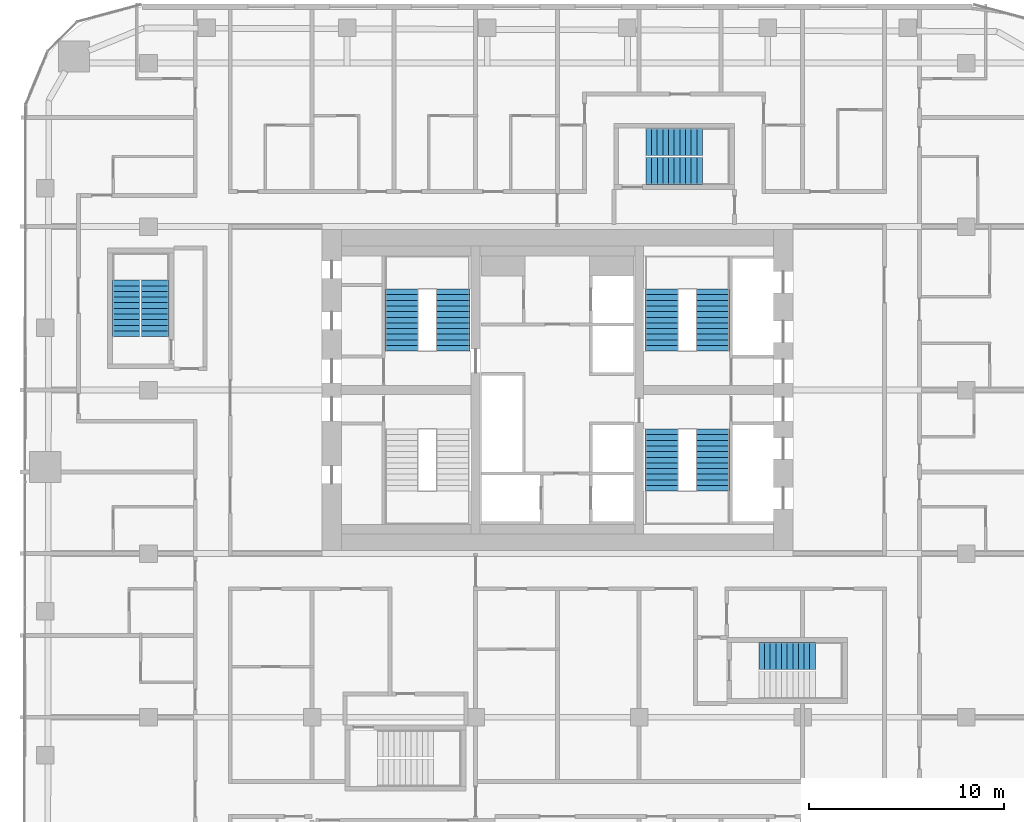
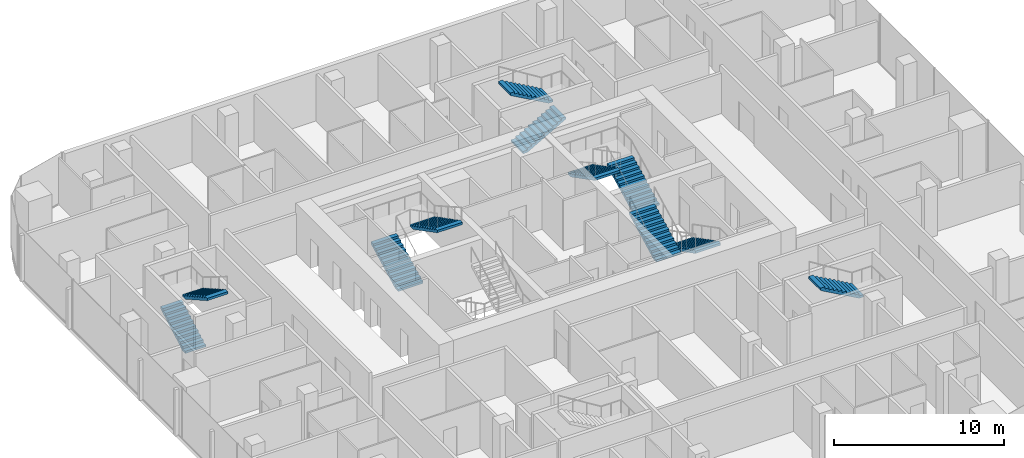
# One storey, part 21 of 23: 11 stair flights, 6 elements without a shape of their own.
"""IFC4 building model written with IfcOpenShell, lengths in metres."""

from ifc_helpers import new_model, si_unit, direction, frame, origin, place, context, subcontext, project, spatial, polyline, outline, extrude, material, type_object, element, aggregate, save


model = new_model("IFC4")

# Units and contexts
model_context = context("Model", 3, precision=1e-05, world=origin(), true_north=direction((0.0, 1.0)))
body_context = subcontext(model_context, "Body", "Model", "MODEL_VIEW")
ifc_project = project(units=[si_unit("LENGTHUNIT", "METRE"), si_unit("AREAUNIT", "SQUARE_METRE"), si_unit("VOLUMEUNIT", "CUBIC_METRE"), si_unit("PLANEANGLEUNIT", "RADIAN"), si_unit("MASSUNIT", "GRAM", prefix="KILO")], contexts=[model_context])

# Site, building, storey
site_placement = place(None, origin())
site = spatial("IfcSite", under=ifc_project, at=site_placement, CompositionType="ELEMENT")
building_placement = place(site_placement, origin())
building = spatial("IfcBuilding", under=site, at=building_placement, Name="Marenta Gate Hotel Tower", CompositionType="ELEMENT")
storey_placement = place(building_placement, frame((0.0, 0.0, 119.300048828125)))
storey = spatial("IfcBuildingStorey", under=building, at=storey_placement, Name="L26", CompositionType="ELEMENT", Elevation=119.300048828125)

# Stair, stair flights
ifc_material_1 = material(Name="Concrete C40", Category="concrete")
stair_type_1 = type_object("IfcStairType", Name="Core exit stair 1700 wide", PredefinedType="HALF_TURN_STAIR", material=ifc_material_1)
stair_1_placement = place(storey_placement, origin())
stair_1 = element("IfcStair", 1, at=stair_1_placement, inside=storey, type_object=stair_type_1, Name="Exit stair 2", PredefinedType="HALF_TURN_STAIR")
ifc_material_2 = material(Name="Concrete C40", Category="concrete")
stair_flight_type_1 = type_object("IfcStairFlightType", Name="Core stair flight 1700 riser 150.0 going 290", PredefinedType="STRAIGHT", material=ifc_material_2)
stair_flight_1_placement = place(storey_placement, frame((-8.0, 10.39990234375, 0.0), z_axis=(0.0, 0.0, 1.0), x_axis=(0.0, 1.0, 0.0)))
stair_flight_1 = element("IfcStairFlight", 2, at=stair_flight_1_placement, type_object=stair_flight_type_1, Name="ST2 flight 1", NumberOfRisers=12, NumberOfTreads=11, PredefinedType="STRAIGHT", RiserHeight=0.15, TreadLength=0.29, context=body_context, shape_type="SweptSolid", body=[
    extrude(outline(polyline([(0.0, 0.0), (0.0, 0.14990234375), (0.2900390625, 0.14990234375), (0.2900390625, 0.300048828125), (0.580078125, 0.300048828125), (0.580078125, 0.449951171875), (0.8701171875, 0.449951171875), (0.8701171875, 0.60009765625), (1.159912109375, 0.60009765625), (1.159912109375, 0.75), (1.449951171875, 0.75), (1.449951171875, 0.89990234375), (1.739990234375, 0.89990234375), (1.739990234375, 1.050048828125), (2.030029296875, 1.050048828125), (2.030029296875, 1.199951171875), (2.320068359375, 1.199951171875), (2.320068359375, 1.35009765625), (2.610107421875, 1.35009765625), (2.610107421875, 1.5), (2.89990234375, 1.5), (2.89990234375, 1.64990234375), (3.18994140625, 1.64990234375), (3.18994140625, 1.800048828125), (3.18994140625, 1.481201171875), (0.326171875, 0.0), (0.0, 0.0)])), frame((0.0, 0.85009765625, 0.0), z_axis=(0.0, -1.0, 0.0), x_axis=(1.0, 0.0, 0.0)), (0.0, 0.0, 1.0), 1.699951171875),
])
stair_flight_2_placement = place(storey_placement, frame((-5.35009765625, 13.590087890625, 1.800048828125), z_axis=(0.0, 0.0, 1.0), x_axis=(0.0, -1.0, 0.0)))
stair_flight_2 = element("IfcStairFlight", 3, at=stair_flight_2_placement, type_object=stair_flight_type_1, Name="ST2 flight 2", NumberOfRisers=12, NumberOfTreads=11, PredefinedType="STRAIGHT", RiserHeight=0.15, TreadLength=0.29, context=body_context, shape_type="SweptSolid", body=[
    extrude(outline(polyline([(0.0, 0.0), (0.0, 0.14990234375), (0.2900390625, 0.14990234375), (0.2900390625, 0.300048828125), (0.580078125, 0.300048828125), (0.580078125, 0.449951171875), (0.8701171875, 0.449951171875), (0.8701171875, 0.60009765625), (1.159912109375, 0.60009765625), (1.159912109375, 0.75), (1.449951171875, 0.75), (1.449951171875, 0.89990234375), (1.739990234375, 0.89990234375), (1.739990234375, 1.050048828125), (2.030029296875, 1.050048828125), (2.030029296875, 1.199951171875), (2.320068359375, 1.199951171875), (2.320068359375, 1.35009765625), (2.610107421875, 1.35009765625), (2.610107421875, 1.5), (2.89990234375, 1.5), (2.89990234375, 1.64990234375), (3.18994140625, 1.64990234375), (3.18994140625, 1.800048828125), (3.18994140625, 1.481201171875), (0.326171875, 0.0), (0.0, 0.0)])), frame((0.0, 0.85009765625, 0.0), z_axis=(0.0, -1.0, 0.0), x_axis=(1.0, 0.0, 0.0)), (0.0, 0.0, 1.0), 1.699951171875),
])
aggregate(stair_1, [stair_flight_1, stair_flight_2])

stair_2_placement = place(storey_placement, origin())
stair_2 = element("IfcStair", 4, at=stair_2_placement, inside=storey, type_object=stair_type_1, Name="Exit stair 3", PredefinedType="HALF_TURN_STAIR")
stair_flight_3_placement = place(storey_placement, frame((8.0, 6.39990234375, 0.0), z_axis=(0.0, 0.0, 1.0), x_axis=(0.0, -1.0, 0.0)))
stair_flight_3 = element("IfcStairFlight", 5, at=stair_flight_3_placement, type_object=stair_flight_type_1, Name="ST3 flight 1", NumberOfRisers=12, NumberOfTreads=11, PredefinedType="STRAIGHT", RiserHeight=0.15, TreadLength=0.29, context=body_context, shape_type="SweptSolid", body=[
    extrude(outline(polyline([(0.0, 0.0), (0.0, 0.14990234375), (0.2900390625, 0.14990234375), (0.2900390625, 0.300048828125), (0.580078125, 0.300048828125), (0.580078125, 0.449951171875), (0.8701171875, 0.449951171875), (0.8701171875, 0.60009765625), (1.159912109375, 0.60009765625), (1.159912109375, 0.75), (1.449951171875, 0.75), (1.449951171875, 0.89990234375), (1.739990234375, 0.89990234375), (1.739990234375, 1.050048828125), (2.030029296875, 1.050048828125), (2.030029296875, 1.199951171875), (2.320068359375, 1.199951171875), (2.320068359375, 1.35009765625), (2.610107421875, 1.35009765625), (2.610107421875, 1.5), (2.89990234375, 1.5), (2.89990234375, 1.64990234375), (3.18994140625, 1.64990234375), (3.18994140625, 1.800048828125), (3.18994140625, 1.481201171875), (0.326171875, 0.0), (0.0, 0.0)])), frame((0.0, 0.85009765625, 0.0), z_axis=(0.0, -1.0, 0.0), x_axis=(1.0, 0.0, 0.0)), (0.0, 0.0, 1.0), 1.699951171875),
])
stair_flight_4_placement = place(storey_placement, frame((5.35009765625, 3.2099609375, 1.800048828125), z_axis=(0.0, 0.0, 1.0), x_axis=(0.0, 1.0, 0.0)))
stair_flight_4 = element("IfcStairFlight", 6, at=stair_flight_4_placement, type_object=stair_flight_type_1, Name="ST3 flight 2", NumberOfRisers=12, NumberOfTreads=11, PredefinedType="STRAIGHT", RiserHeight=0.15, TreadLength=0.29, context=body_context, shape_type="SweptSolid", body=[
    extrude(outline(polyline([(0.0, 0.0), (0.0, 0.14990234375), (0.2900390625, 0.14990234375), (0.2900390625, 0.300048828125), (0.580078125, 0.300048828125), (0.580078125, 0.449951171875), (0.8701171875, 0.449951171875), (0.8701171875, 0.60009765625), (1.159912109375, 0.60009765625), (1.159912109375, 0.75), (1.449951171875, 0.75), (1.449951171875, 0.89990234375), (1.739990234375, 0.89990234375), (1.739990234375, 1.050048828125), (2.030029296875, 1.050048828125), (2.030029296875, 1.199951171875), (2.320068359375, 1.199951171875), (2.320068359375, 1.35009765625), (2.610107421875, 1.35009765625), (2.610107421875, 1.5), (2.89990234375, 1.5), (2.89990234375, 1.64990234375), (3.18994140625, 1.64990234375), (3.18994140625, 1.800048828125), (3.18994140625, 1.481201171875), (0.326171875, 0.0), (0.0, 0.0)])), frame((0.0, 0.85009765625, 0.0), z_axis=(0.0, -1.0, 0.0), x_axis=(1.0, 0.0, 0.0)), (0.0, 0.0, 1.0), 1.699951171875),
])
aggregate(stair_2, [stair_flight_3, stair_flight_4])

stair_3_placement = place(storey_placement, origin())
stair_3 = element("IfcStair", 7, at=stair_3_placement, inside=storey, type_object=stair_type_1, Name="Exit stair 4", PredefinedType="HALF_TURN_STAIR")
stair_flight_5_placement = place(storey_placement, frame((8.0, 10.39990234375, 0.0), z_axis=(0.0, 0.0, 1.0), x_axis=(0.0, 1.0, 0.0)))
stair_flight_5 = element("IfcStairFlight", 8, at=stair_flight_5_placement, type_object=stair_flight_type_1, Name="ST4 flight 1", NumberOfRisers=12, NumberOfTreads=11, PredefinedType="STRAIGHT", RiserHeight=0.15, TreadLength=0.29, context=body_context, shape_type="SweptSolid", body=[
    extrude(outline(polyline([(0.0, 0.0), (0.0, 0.14990234375), (0.2900390625, 0.14990234375), (0.2900390625, 0.300048828125), (0.580078125, 0.300048828125), (0.580078125, 0.449951171875), (0.8701171875, 0.449951171875), (0.8701171875, 0.60009765625), (1.159912109375, 0.60009765625), (1.159912109375, 0.75), (1.449951171875, 0.75), (1.449951171875, 0.89990234375), (1.739990234375, 0.89990234375), (1.739990234375, 1.050048828125), (2.030029296875, 1.050048828125), (2.030029296875, 1.199951171875), (2.320068359375, 1.199951171875), (2.320068359375, 1.35009765625), (2.610107421875, 1.35009765625), (2.610107421875, 1.5), (2.89990234375, 1.5), (2.89990234375, 1.64990234375), (3.18994140625, 1.64990234375), (3.18994140625, 1.800048828125), (3.18994140625, 1.481201171875), (0.326171875, 0.0), (0.0, 0.0)])), frame((0.0, 0.85009765625, 0.0), z_axis=(0.0, -1.0, 0.0), x_axis=(1.0, 0.0, 0.0)), (0.0, 0.0, 1.0), 1.699951171875),
])
stair_flight_6_placement = place(storey_placement, frame((5.35009765625, 13.590087890625, 1.800048828125), z_axis=(0.0, 0.0, 1.0), x_axis=(0.0, -1.0, 0.0)))
stair_flight_6 = element("IfcStairFlight", 9, at=stair_flight_6_placement, type_object=stair_flight_type_1, Name="ST4 flight 2", NumberOfRisers=12, NumberOfTreads=11, PredefinedType="STRAIGHT", RiserHeight=0.15, TreadLength=0.29, context=body_context, shape_type="SweptSolid", body=[
    extrude(outline(polyline([(0.0, 0.0), (0.0, 0.14990234375), (0.2900390625, 0.14990234375), (0.2900390625, 0.300048828125), (0.580078125, 0.300048828125), (0.580078125, 0.449951171875), (0.8701171875, 0.449951171875), (0.8701171875, 0.60009765625), (1.159912109375, 0.60009765625), (1.159912109375, 0.75), (1.449951171875, 0.75), (1.449951171875, 0.89990234375), (1.739990234375, 0.89990234375), (1.739990234375, 1.050048828125), (2.030029296875, 1.050048828125), (2.030029296875, 1.199951171875), (2.320068359375, 1.199951171875), (2.320068359375, 1.35009765625), (2.610107421875, 1.35009765625), (2.610107421875, 1.5), (2.89990234375, 1.5), (2.89990234375, 1.64990234375), (3.18994140625, 1.64990234375), (3.18994140625, 1.800048828125), (3.18994140625, 1.481201171875), (0.326171875, 0.0), (0.0, 0.0)])), frame((0.0, 0.85009765625, 0.0), z_axis=(0.0, -1.0, 0.0), x_axis=(1.0, 0.0, 0.0)), (0.0, 0.0, 1.0), 1.699951171875),
])
aggregate(stair_3, [stair_flight_5, stair_flight_6])

ifc_material_3 = material(Name="Concrete C40", Category="concrete")
stair_type_2 = type_object("IfcStairType", Name="Remote exit stair 1400 wide", PredefinedType="HALF_TURN_STAIR", material=ifc_material_3)
stair_4_placement = place(storey_placement, origin())
stair_4 = element("IfcStair", 10, at=stair_4_placement, inside=storey, type_object=stair_type_2, Name="Exit stair RS-Z1-3", PredefinedType="HALF_TURN_STAIR")
ifc_material_4 = material(Name="Concrete C40", Category="concrete")
stair_flight_type_2 = type_object("IfcStairFlightType", Name="Remote stair flight 1400 riser 163.6 going 290", PredefinedType="STRAIGHT", material=ifc_material_4)
stair_flight_7_placement = place(storey_placement, frame((-22.14990234375, 11.14990234375, 0.0), z_axis=(0.0, 0.0, 1.0), x_axis=(0.0, 1.0, 0.0)))
stair_flight_7 = element("IfcStairFlight", 11, at=stair_flight_7_placement, type_object=stair_flight_type_2, Name="RS-Z1-3 flight 1", NumberOfRisers=11, NumberOfTreads=10, PredefinedType="STRAIGHT", RiserHeight=0.163636, TreadLength=0.29, context=body_context, shape_type="SweptSolid", body=[
    extrude(outline(polyline([(0.0, 0.0), (0.0, 0.16357421875), (0.2900390625, 0.16357421875), (0.2900390625, 0.327392578125), (0.580078125, 0.327392578125), (0.580078125, 0.490966796875), (0.8701171875, 0.490966796875), (0.8701171875, 0.654541015625), (1.159912109375, 0.654541015625), (1.159912109375, 0.818115234375), (1.449951171875, 0.818115234375), (1.449951171875, 0.98193359375), (1.739990234375, 0.98193359375), (1.739990234375, 1.1455078125), (2.030029296875, 1.1455078125), (2.030029296875, 1.30908203125), (2.320068359375, 1.30908203125), (2.320068359375, 1.47265625), (2.610107421875, 1.47265625), (2.610107421875, 1.636474609375), (2.89990234375, 1.636474609375), (2.89990234375, 1.800048828125), (2.89990234375, 1.46435546875), (0.304931640625, 0.0), (0.0, 0.0)])), frame((0.0, 0.699951171875, 0.0), z_axis=(0.0, -1.0, 0.0), x_axis=(1.0, 0.0, 0.0)), (0.0, 0.0, 1.0), 1.39990234375),
])
stair_flight_8_placement = place(storey_placement, frame((-20.64990234375, 14.050048828125, 1.800048828125), z_axis=(0.0, 0.0, 1.0), x_axis=(0.0, -1.0, 0.0)))
stair_flight_8 = element("IfcStairFlight", 12, at=stair_flight_8_placement, type_object=stair_flight_type_2, Name="RS-Z1-3 flight 2", NumberOfRisers=11, NumberOfTreads=10, PredefinedType="STRAIGHT", RiserHeight=0.163636, TreadLength=0.29, context=body_context, shape_type="SweptSolid", body=[
    extrude(outline(polyline([(0.0, 0.0), (0.0, 0.16357421875), (0.2900390625, 0.16357421875), (0.2900390625, 0.327392578125), (0.580078125, 0.327392578125), (0.580078125, 0.490966796875), (0.8701171875, 0.490966796875), (0.8701171875, 0.654541015625), (1.159912109375, 0.654541015625), (1.159912109375, 0.818115234375), (1.449951171875, 0.818115234375), (1.449951171875, 0.98193359375), (1.739990234375, 0.98193359375), (1.739990234375, 1.1455078125), (2.030029296875, 1.1455078125), (2.030029296875, 1.30908203125), (2.320068359375, 1.30908203125), (2.320068359375, 1.47265625), (2.610107421875, 1.47265625), (2.610107421875, 1.636474609375), (2.89990234375, 1.636474609375), (2.89990234375, 1.800048828125), (2.89990234375, 1.46435546875), (0.304931640625, 0.0), (0.0, 0.0)])), frame((0.0, 0.699951171875, 0.0), z_axis=(0.0, -1.0, 0.0), x_axis=(1.0, 0.0, 0.0)), (0.0, 0.0, 1.0), 1.39990234375),
])
aggregate(stair_4, [stair_flight_7, stair_flight_8])

# Stair, stair flight
stair_5_placement = place(storey_placement, origin())
stair_5 = element("IfcStair", 13, at=stair_5_placement, inside=storey, type_object=stair_type_2, Name="Exit stair RS-Z2-2", PredefinedType="HALF_TURN_STAIR")
stair_flight_9_placement = place(storey_placement, frame((13.25, -5.25, 1.800048828125), z_axis=(0.0, 0.0, 1.0), x_axis=(-1.0, 0.0, 0.0)))
stair_flight_9 = element("IfcStairFlight", 14, at=stair_flight_9_placement, type_object=stair_flight_type_2, Name="RS-Z2-2 flight 2", NumberOfRisers=11, NumberOfTreads=10, PredefinedType="STRAIGHT", RiserHeight=0.163636, TreadLength=0.29, context=body_context, shape_type="SweptSolid", body=[
    extrude(outline(polyline([(0.0, 0.0), (0.0, 0.16357421875), (0.2900390625, 0.16357421875), (0.2900390625, 0.327392578125), (0.580078125, 0.327392578125), (0.580078125, 0.490966796875), (0.8701171875, 0.490966796875), (0.8701171875, 0.654541015625), (1.159912109375, 0.654541015625), (1.159912109375, 0.818115234375), (1.449951171875, 0.818115234375), (1.449951171875, 0.98193359375), (1.739990234375, 0.98193359375), (1.739990234375, 1.1455078125), (2.030029296875, 1.1455078125), (2.030029296875, 1.30908203125), (2.320068359375, 1.30908203125), (2.320068359375, 1.47265625), (2.610107421875, 1.47265625), (2.610107421875, 1.636474609375), (2.89990234375, 1.636474609375), (2.89990234375, 1.800048828125), (2.89990234375, 1.46435546875), (0.304931640625, 0.0), (0.0, 0.0)])), frame((0.0, 0.699951171875, 0.0), z_axis=(0.0, -1.0, 0.0), x_axis=(1.0, 0.0, 0.0)), (0.0, 0.0, 1.0), 1.39990234375),
])
aggregate(stair_5, [stair_flight_9])

# Stair, stair flights
stair_6_placement = place(storey_placement, origin())
stair_6 = element("IfcStair", 15, at=stair_6_placement, inside=storey, type_object=stair_type_2, Name="Exit stair RS-Z2-4", PredefinedType="HALF_TURN_STAIR")
stair_flight_10_placement = place(storey_placement, frame((4.550048828125, 19.64990234375, 0.0), z_axis=(0.0, 0.0, 1.0), x_axis=(1.0, 0.0, 0.0)))
stair_flight_10 = element("IfcStairFlight", 16, at=stair_flight_10_placement, type_object=stair_flight_type_2, Name="RS-Z2-4 flight 1", NumberOfRisers=11, NumberOfTreads=10, PredefinedType="STRAIGHT", RiserHeight=0.163636, TreadLength=0.29, context=body_context, shape_type="SweptSolid", body=[
    extrude(outline(polyline([(0.0, 0.0), (0.0, 0.16357421875), (0.2900390625, 0.16357421875), (0.2900390625, 0.327392578125), (0.580078125, 0.327392578125), (0.580078125, 0.490966796875), (0.8701171875, 0.490966796875), (0.8701171875, 0.654541015625), (1.159912109375, 0.654541015625), (1.159912109375, 0.818115234375), (1.449951171875, 0.818115234375), (1.449951171875, 0.98193359375), (1.739990234375, 0.98193359375), (1.739990234375, 1.1455078125), (2.030029296875, 1.1455078125), (2.030029296875, 1.30908203125), (2.320068359375, 1.30908203125), (2.320068359375, 1.47265625), (2.610107421875, 1.47265625), (2.610107421875, 1.636474609375), (2.89990234375, 1.636474609375), (2.89990234375, 1.800048828125), (2.89990234375, 1.46435546875), (0.304931640625, 0.0), (0.0, 0.0)])), frame((0.0, 0.699951171875, 0.0), z_axis=(0.0, -1.0, 0.0), x_axis=(1.0, 0.0, 0.0)), (0.0, 0.0, 1.0), 1.39990234375),
])
stair_flight_11_placement = place(storey_placement, frame((7.449951171875, 21.14990234375, 1.800048828125), z_axis=(0.0, 0.0, 1.0), x_axis=(-1.0, 0.0, 0.0)))
stair_flight_11 = element("IfcStairFlight", 17, at=stair_flight_11_placement, type_object=stair_flight_type_2, Name="RS-Z2-4 flight 2", NumberOfRisers=11, NumberOfTreads=10, PredefinedType="STRAIGHT", RiserHeight=0.163636, TreadLength=0.29, context=body_context, shape_type="SweptSolid", body=[
    extrude(outline(polyline([(0.0, 0.0), (0.0, 0.16357421875), (0.2900390625, 0.16357421875), (0.2900390625, 0.327392578125), (0.580078125, 0.327392578125), (0.580078125, 0.490966796875), (0.8701171875, 0.490966796875), (0.8701171875, 0.654541015625), (1.159912109375, 0.654541015625), (1.159912109375, 0.818115234375), (1.449951171875, 0.818115234375), (1.449951171875, 0.98193359375), (1.739990234375, 0.98193359375), (1.739990234375, 1.1455078125), (2.030029296875, 1.1455078125), (2.030029296875, 1.30908203125), (2.320068359375, 1.30908203125), (2.320068359375, 1.47265625), (2.610107421875, 1.47265625), (2.610107421875, 1.636474609375), (2.89990234375, 1.636474609375), (2.89990234375, 1.800048828125), (2.89990234375, 1.46435546875), (0.304931640625, 0.0), (0.0, 0.0)])), frame((0.0, 0.699951171875, 0.0), z_axis=(0.0, -1.0, 0.0), x_axis=(1.0, 0.0, 0.0)), (0.0, 0.0, 1.0), 1.39990234375),
])
aggregate(stair_6, [stair_flight_10, stair_flight_11])

save(model, "model.ifc")
